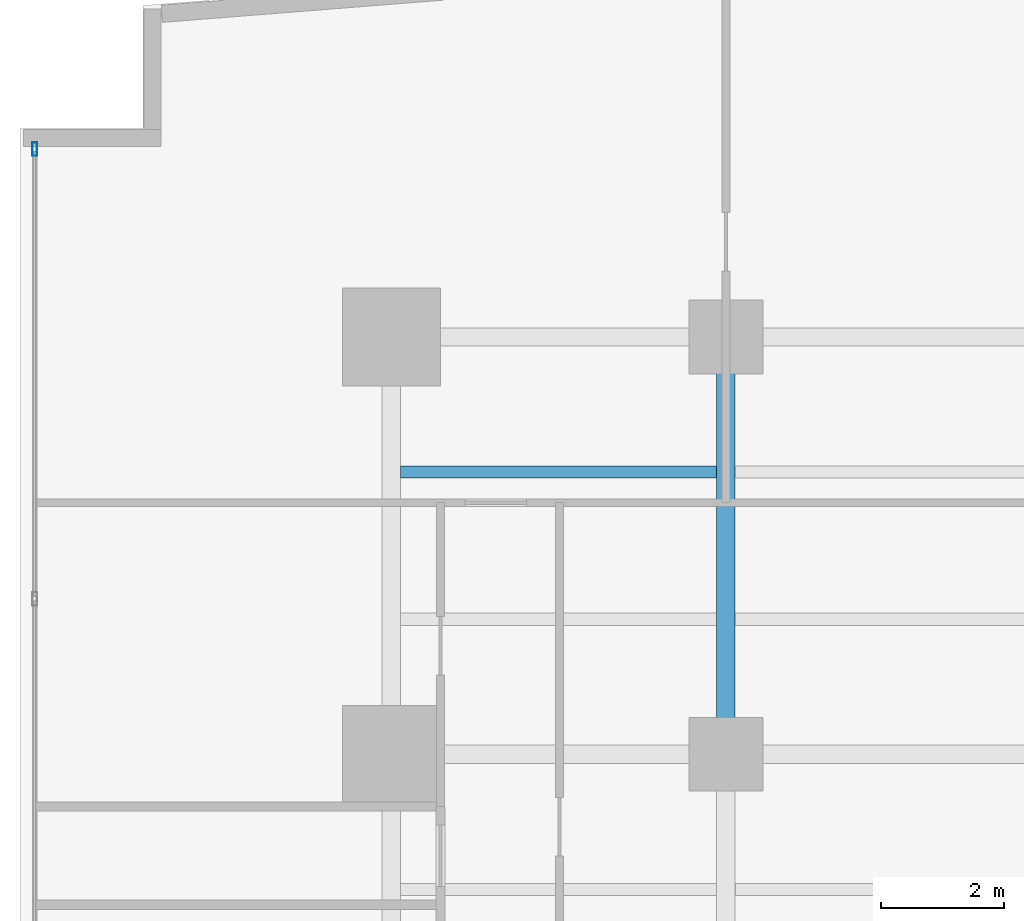
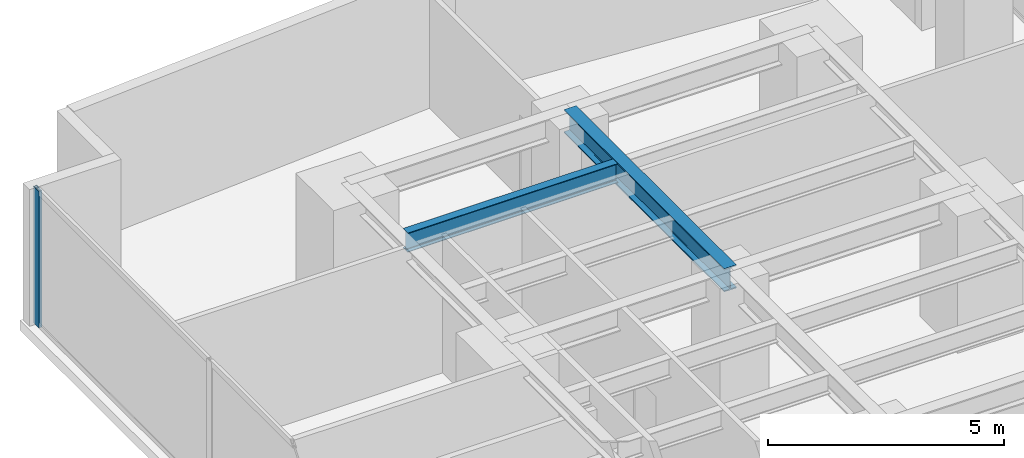
# One storey, part 17 of 31: 2 beams, 1 member, 1 element without a shape of its own.
"""IFC4 building model written with IfcOpenShell, lengths in metres."""

from ifc_helpers import new_model, si_unit, direction, frame, origin, origin_with_axes, origin_2d, place, context, subcontext, project, spatial, hollow_rectangle, i_section, extrude, source, transform, mapped, material, layer, layer_set, material_profile, profile_set, type_object, element, aggregate, save


model = new_model("IFC4")

# Units and contexts
model_context = context("Model", 3, precision=1e-05, world=origin(), true_north=direction((0.0, 1.0)))
body_context = subcontext(model_context, "Body", "Model", "MODEL_VIEW")
ifc_project = project(units=[si_unit("LENGTHUNIT", "METRE"), si_unit("AREAUNIT", "SQUARE_METRE"), si_unit("VOLUMEUNIT", "CUBIC_METRE"), si_unit("PLANEANGLEUNIT", "RADIAN"), si_unit("MASSUNIT", "GRAM", prefix="KILO")], contexts=[model_context])

# Site, building, storey
site_placement = place(None, origin())
site = spatial("IfcSite", under=ifc_project, at=site_placement, CompositionType="ELEMENT")
building_placement = place(site_placement, origin())
building = spatial("IfcBuilding", under=site, at=building_placement, Name="Kolvaren Waterfront Exchange", CompositionType="ELEMENT")
storey_placement = place(building_placement, frame((0.0, 0.0, 67.60009765625)))
storey = spatial("IfcBuildingStorey", under=building, at=storey_placement, Name="L17", CompositionType="ELEMENT", Elevation=67.60009765625)

# Beams
ifc_material_1 = material(Name="Steel S355", Category="steel")
ifc_material_profile_1 = material_profile(ifc_material_1, i_section(OverallWidth=0.300048828125, OverallDepth=0.60009765625, WebThickness=0.015380859375, FlangeThickness=0.030029296875, FilletRadius=0.027099609375, at=origin_2d()), Name="HEB600")
ifc_profile_set_1 = profile_set([ifc_material_profile_1], Name="Steel S355")
beam_type_1 = type_object("IfcBeamType", Name="STR-BM-HEB600", PredefinedType="BEAM", material=ifc_profile_set_1)
beam_1_placement = place(storey_placement, frame((12.89990234375, 37.800048828125, 3.239990234375), z_axis=(0.0, 1.0, 0.0), x_axis=(-1.0, 0.0, 0.0)))
element("IfcBeam", 1, at=beam_1_placement, inside=storey, type_object=beam_type_1, Name="L17 north-arm edge beam 3", PredefinedType="BEAM", context=body_context, shape_type="SweptSolid", body=[
    extrude(i_section(OverallWidth=0.300048828125, OverallDepth=0.60009765625, WebThickness=0.015380859375, FlangeThickness=0.030029296875, FilletRadius=0.027099609375, at=origin_2d()), origin(), (0.0, 0.0, 1.0), 6.800048828125),
])
ifc_material_profile_2 = material_profile(ifc_material_1, i_section(OverallWidth=0.199951171875, OverallDepth=0.5, WebThickness=0.01025390625, FlangeThickness=0.01611328125, FilletRadius=0.02099609375, at=origin_2d()), Name="IPE500")
ifc_profile_set_2 = profile_set([ifc_material_profile_2], Name="Steel S355")
beam_type_2 = type_object("IfcBeamType", Name="STR-BM-IPE500", PredefinedType="JOIST", material=ifc_profile_set_2)
beam_2_placement = place(storey_placement, frame((7.60205078125, 42.39990234375, 3.289794921875), z_axis=(1.0, 0.0, 0.0), x_axis=(0.0, 1.0, 0.0)))
element("IfcBeam", 2, at=beam_2_placement, inside=storey, type_object=beam_type_2, Name="L17 north-arm composite joist 6A", PredefinedType="JOIST", context=body_context, shape_type="SweptSolid", body=[
    extrude(i_section(OverallWidth=0.199951171875, OverallDepth=0.5, WebThickness=0.01025390625, FlangeThickness=0.01611328125, FilletRadius=0.02099609375, at=origin_2d()), origin(), (0.0, 0.0, 1.0), 5.14599609375),
])

# Curtain wall, member
ifc_material_2 = material(Name="Anodised aluminium 6063-T6", Category="aluminium")
ifc_layer = layer(ifc_material_2, 0.219970703125, Name="Anodised aluminium 6063-T6")
ifc_layer_set = layer_set([ifc_layer], Name="Anodised aluminium 6063-T6")
curtain_wall_type = type_object("IfcCurtainWallType", Name="ARC-CW-SYS2", PredefinedType="USERDEFINED", material=ifc_layer_set)
curtain_wall_placement = place(storey_placement, origin())
curtain_wall = element("IfcCurtainWall", 3, at=curtain_wall_placement, inside=storey, type_object=curtain_wall_type, Name="L17 stick curtain wall CW2 (CW-L17-W)", ObjectType="STICK CURTAIN WALL", PredefinedType="USERDEFINED")
ifc_material_profile_3 = material_profile(ifc_material_2, hollow_rectangle(XDim=0.080078125, YDim=0.219970703125, WallThickness=0.0048828125, at=origin_2d()), Name="ALU-MUL-220x80x5")
ifc_profile_set_3 = profile_set([ifc_material_profile_3], Name="Anodised aluminium 6063-T6")
member_type = type_object("IfcMemberType", Name="ARC-CWM-220", PredefinedType="MULLION", material=ifc_profile_set_3)
shared_shape = source(origin_with_axes(), body_context, "Body", "SweptSolid", [
    extrude(hollow_rectangle(XDim=0.080078125, YDim=0.219970703125, WallThickness=0.0048828125, at=origin_2d()), origin(), (0.0, 0.0, 1.0), 3.539794921875),
])
member_placement = place(storey_placement, frame((1.639892578125, 47.659912109375, 0.0), z_axis=(0.0, 0.0, 1.0), x_axis=(-1.0, 0.0, 0.0)))
member = element("IfcMember", 4, at=member_placement, type_object=member_type, Name="CW2 mullion 7", PredefinedType="MULLION", context=body_context, shape_type="MappedRepresentation", body=[
    mapped(shared_shape, transform((0.0, 0.0, 0.0), x_axis=(1.0, 0.0, 0.0), y_axis=(0.0, 1.0, 0.0), z_axis=(0.0, 0.0, 1.0), scale=1.0)),
])
aggregate(curtain_wall, [member])

save(model, "model.ifc")
